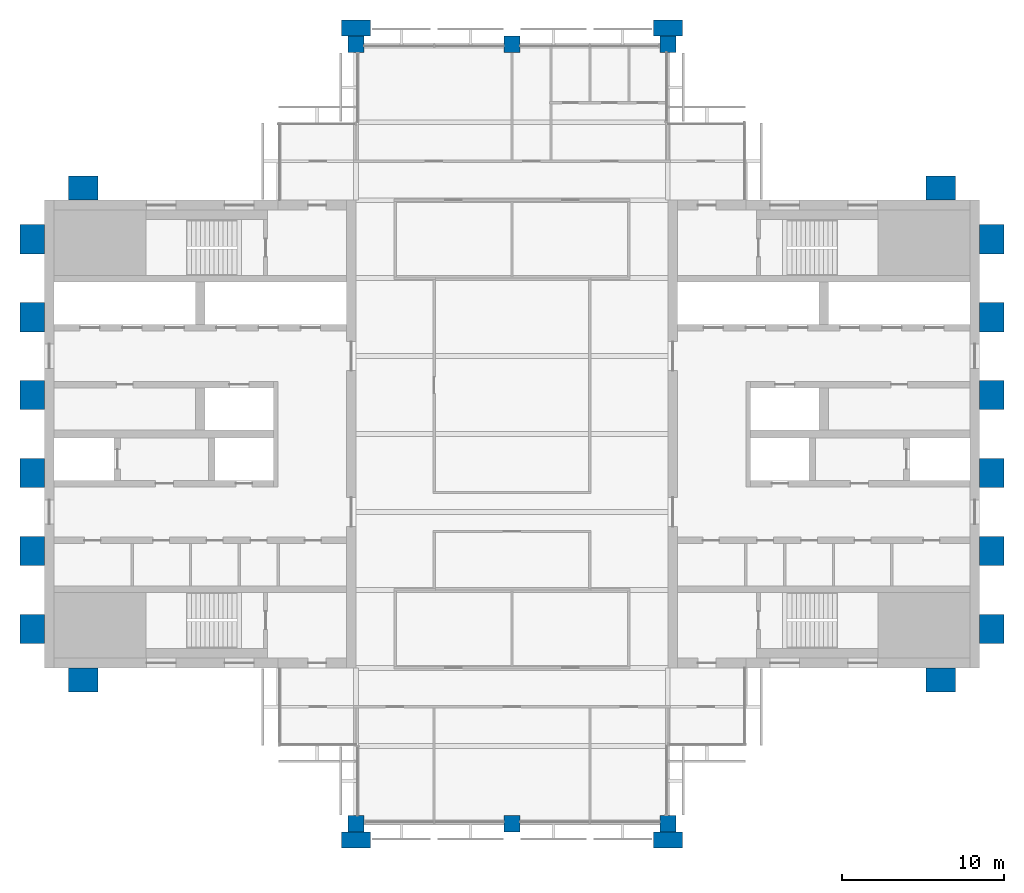
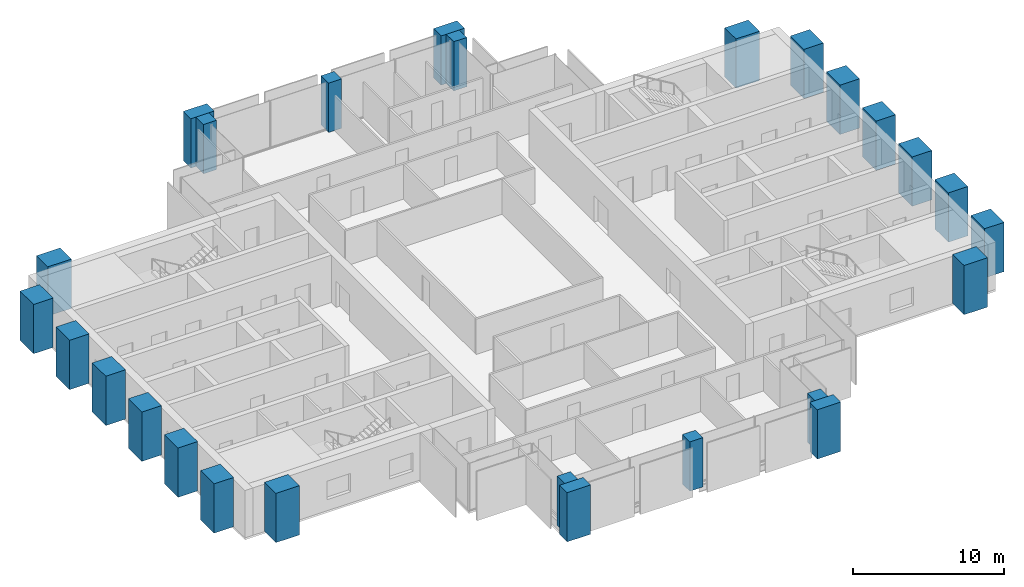
# One storey, part 1 of 13: 26 columns.
"""IFC4 building model written with IfcOpenShell, lengths in metres."""

from ifc_helpers import new_model, si_unit, direction, frame, origin, origin_2d, place, context, subcontext, project, spatial, rectangle, extrude, material, material_profile, profile_set, type_object, element, save


model = new_model("IFC4")

# Units and contexts
model_context = context("Model", 3, precision=1e-05, world=origin(), true_north=direction((0.0, 1.0)))
body_context = subcontext(model_context, "Body", "Model", "MODEL_VIEW")
ifc_project = project(units=[si_unit("LENGTHUNIT", "METRE"), si_unit("AREAUNIT", "SQUARE_METRE"), si_unit("VOLUMEUNIT", "CUBIC_METRE"), si_unit("PLANEANGLEUNIT", "RADIAN"), si_unit("MASSUNIT", "GRAM", prefix="KILO")], contexts=[model_context])

# Site, building, storey
site_placement = place(None, origin())
site = spatial("IfcSite", under=ifc_project, at=site_placement, CompositionType="ELEMENT")
building_placement = place(site_placement, origin())
building = spatial("IfcBuilding", under=site, at=building_placement, Name="Baori Bourse Tower", CompositionType="ELEMENT")
storey_placement = place(building_placement, frame((0.0, 0.0, 334.300048828125)))
storey = spatial("IfcBuildingStorey", under=building, at=storey_placement, Name="L74", CompositionType="ELEMENT", Elevation=334.300048828125)

# Columns
ifc_material_1 = material(Name="Concrete f'c 60 MPa", Category="concrete")
ifc_material_profile_1 = material_profile(ifc_material_1, rectangle(XDim=1.800048828125, YDim=1.0, at=origin_2d()), Name="RC 1800x1000")
ifc_profile_set_1 = profile_set([ifc_material_profile_1], Name="Concrete f'c 60 MPa")
column_type_1 = type_object("IfcColumnType", Name="FN3 Brick pilaster 1800x1000", PredefinedType="PILASTER", material=ifc_profile_set_1)
for number, where, z_axis, x_axis, name in (
    (1, (19.199951171875, -1.0, 0.0), (0.0, 0.0, 1.0), (1.0, 0.0, 0.0), "Brick pilaster L74 17"),
    (2, (38.39990234375, -1.0, 0.0), (0.0, 0.0, 1.0), (1.0, 0.0, 0.0), "Brick pilaster L74 18"),
    (3, (19.199951171875, 49.0, 0.0), (0.0, 0.0, 1.0), (1.0, 0.0, 0.0), "Brick pilaster L74 19"),
    (4, (38.39990234375, 49.0, 0.0), (0.0, 0.0, 1.0), (1.0, 0.0, 0.0), "Brick pilaster L74 20"),
):
    element("IfcColumn", number, at=place(storey_placement, frame(where, z_axis=z_axis, x_axis=x_axis)), inside=storey, type_object=column_type_1, Name=name, PredefinedType="PILASTER", context=body_context, shape_type="SweptSolid", body=[
        extrude(rectangle(XDim=1.800048828125, YDim=1.0, at=origin_2d()), origin(), (0.0, 0.0, 1.0), 4.0),
    ])
ifc_material_2 = material(Name="Concrete f'c 60 MPa", Category="concrete")
ifc_material_profile_2 = material_profile(ifc_material_2, rectangle(XDim=1.800048828125, YDim=1.5, at=origin_2d()), Name="RC 1800x1500")
ifc_profile_set_2 = profile_set([ifc_material_profile_2], Name="Concrete f'c 60 MPa")
column_type_2 = type_object("IfcColumnType", Name="FN4 Brick flank pilaster 1800x1500", PredefinedType="PILASTER", material=ifc_profile_set_2)
for number, where, z_axis, x_axis, name in (
    (5, (55.199951171875, 8.85009765625, 0.0), (0.0, 0.0, 1.0), (1.0, 0.0, 0.0), "Brick pilaster L74 1"),
    (6, (58.35009765625, 12.0, 0.0), (0.0, 0.0, 1.0), (0.0, 1.0, 0.0), "Brick pilaster L74 2"),
    (7, (58.35009765625, 16.800048828125, 0.0), (0.0, 0.0, 1.0), (0.0, 1.0, 0.0), "Brick pilaster L74 3"),
    (8, (58.35009765625, 21.60009765625, 0.0), (0.0, 0.0, 1.0), (0.0, 1.0, 0.0), "Brick pilaster L74 4"),
    (9, (58.35009765625, 26.39990234375, 0.0), (0.0, 0.0, 1.0), (0.0, 1.0, 0.0), "Brick pilaster L74 5"),
    (10, (58.35009765625, 31.199951171875, 0.0), (0.0, 0.0, 1.0), (0.0, 1.0, 0.0), "Brick pilaster L74 6"),
    (11, (58.35009765625, 36.0, 0.0), (0.0, 0.0, 1.0), (0.0, 1.0, 0.0), "Brick pilaster L74 7"),
    (12, (55.199951171875, 39.14990234375, 0.0), (0.0, 0.0, 1.0), (1.0, 0.0, 0.0), "Brick pilaster L74 8"),
    (13, (2.39990234375, 39.14990234375, 0.0), (0.0, 0.0, 1.0), (1.0, 0.0, 0.0), "Brick pilaster L74 9"),
    (14, (-0.75, 12.0, 0.0), (0.0, 0.0, 1.0), (0.0, 1.0, 0.0), "Brick pilaster L74 10"),
    (15, (-0.75, 16.800048828125, 0.0), (0.0, 0.0, 1.0), (0.0, 1.0, 0.0), "Brick pilaster L74 11"),
    (16, (-0.75, 21.60009765625, 0.0), (0.0, 0.0, 1.0), (0.0, 1.0, 0.0), "Brick pilaster L74 12"),
    (17, (-0.75, 26.39990234375, 0.0), (0.0, 0.0, 1.0), (0.0, 1.0, 0.0), "Brick pilaster L74 13"),
    (18, (-0.75, 31.199951171875, 0.0), (0.0, 0.0, 1.0), (0.0, 1.0, 0.0), "Brick pilaster L74 14"),
    (19, (-0.75, 36.0, 0.0), (0.0, 0.0, 1.0), (0.0, 1.0, 0.0), "Brick pilaster L74 15"),
    (20, (2.39990234375, 8.85009765625, 0.0), (0.0, 0.0, 1.0), (1.0, 0.0, 0.0), "Brick pilaster L74 16"),
):
    element("IfcColumn", number, at=place(storey_placement, frame(where, z_axis=z_axis, x_axis=x_axis)), inside=storey, type_object=column_type_2, Name=name, PredefinedType="PILASTER", context=body_context, shape_type="SweptSolid", body=[
        extrude(rectangle(XDim=1.800048828125, YDim=1.5, at=origin_2d()), origin(), (0.0, 0.0, 1.0), 4.0),
    ])
ifc_material_3 = material(Name="Concrete f'c 40 MPa", Category="concrete")
ifc_material_profile_3 = material_profile(ifc_material_3, rectangle(XDim=1.0, YDim=1.0, at=origin_2d()), Name="RC 1000x1000")
ifc_profile_set_3 = profile_set([ifc_material_profile_3], Name="Concrete f'c 40 MPa")
column_type_3 = type_object("IfcColumnType", Name="Perimeter column 40 RC 1000x1000", PredefinedType="COLUMN", material=ifc_profile_set_3)
for number, where, z_axis, x_axis, name in (
    (21, (19.199951171875, 0.0, 0.0), (0.0, 0.0, 1.0), (1.0, 0.0, 0.0), "Perimeter column L74"),
    (22, (28.800048828125, 0.0, 0.0), (0.0, 0.0, 1.0), (1.0, 0.0, 0.0), "Perimeter column L74"),
    (23, (38.39990234375, 0.0, 0.0), (0.0, 0.0, 1.0), (1.0, 0.0, 0.0), "Perimeter column L74"),
    (24, (19.199951171875, 48.0, 0.0), (0.0, 0.0, 1.0), (1.0, 0.0, 0.0), "Perimeter column L74"),
    (25, (28.800048828125, 48.0, 0.0), (0.0, 0.0, 1.0), (1.0, 0.0, 0.0), "Perimeter column L74"),
    (26, (38.39990234375, 48.0, 0.0), (0.0, 0.0, 1.0), (1.0, 0.0, 0.0), "Perimeter column L74"),
):
    element("IfcColumn", number, at=place(storey_placement, frame(where, z_axis=z_axis, x_axis=x_axis)), inside=storey, type_object=column_type_3, Name=name, PredefinedType="COLUMN", context=body_context, shape_type="SweptSolid", body=[
        extrude(rectangle(XDim=1.0, YDim=1.0, at=origin_2d()), origin(), (0.0, 0.0, 1.0), 4.0),
    ])

save(model, "model.ifc")
